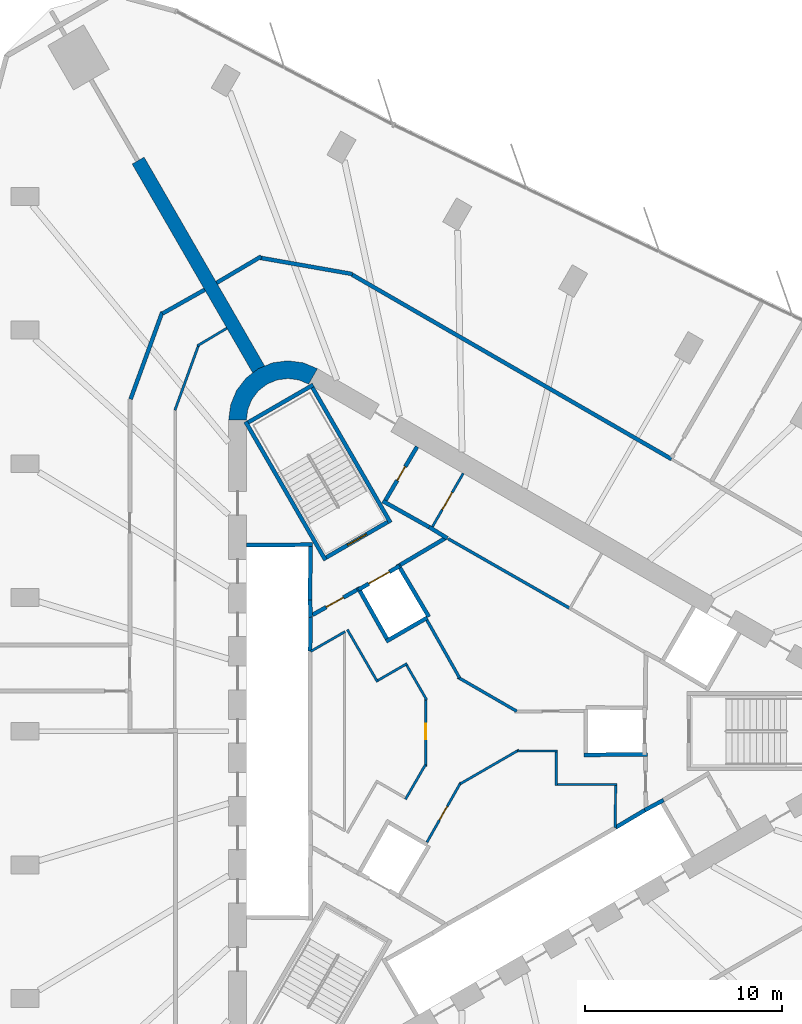
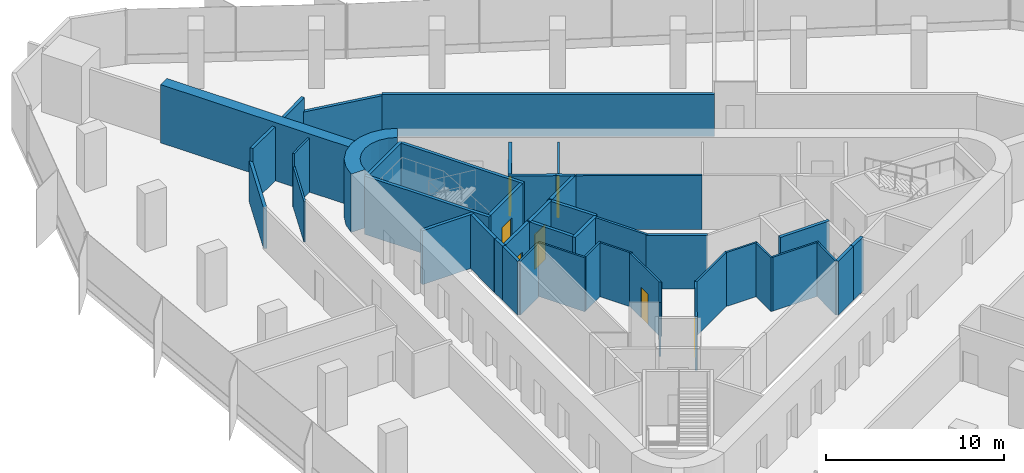
# One storey, part 10 of 13: 45 walls, 7 doors, 7 openings.
"""IFC4 building model written with IfcOpenShell, lengths in metres."""

from ifc_helpers import new_model, si_unit, direction, frame, frame_2d, origin, place, context, subcontext, project, spatial, polyline, rectangle, outline, extrude, material, layer, layer_set, type_object, element, fill, save


model = new_model("IFC4")

# Units and contexts
model_context = context("Model", 3, precision=1e-05, world=origin(), true_north=direction((0.0, 1.0)))
body_context = subcontext(model_context, "Body", "Model", "MODEL_VIEW")
ifc_project = project(units=[si_unit("LENGTHUNIT", "METRE"), si_unit("AREAUNIT", "SQUARE_METRE"), si_unit("VOLUMEUNIT", "CUBIC_METRE"), si_unit("PLANEANGLEUNIT", "RADIAN"), si_unit("MASSUNIT", "GRAM", prefix="KILO")], contexts=[model_context])

# Site, building, storey
site_placement = place(None, origin())
site = spatial("IfcSite", under=ifc_project, at=site_placement, CompositionType="ELEMENT")
building_placement = place(site_placement, origin())
building = spatial("IfcBuilding", under=site, at=building_placement, Name="Tanit Gate Tower", CompositionType="ELEMENT")
storey_placement = place(building_placement, frame((0.0, 0.0, 189.199951171875)))
storey = spatial("IfcBuildingStorey", under=building, at=storey_placement, Name="L41", CompositionType="ELEMENT", Elevation=189.199951171875)

# Walls
ifc_material_1 = material(Name="Concrete C50/60", Category="concrete")
ifc_layer_1 = layer(ifc_material_1, 0.699951171875)
ifc_layer_set_1 = layer_set([ifc_layer_1], Name="BUTTRESS FIN 700 C50/60")
wall_type_1 = type_object("IfcWallType", Name="BUTTRESS FIN 700 C50/60", PredefinedType="SHEAR", material=ifc_layer_set_1)
wall_1_placement = place(storey_placement, frame((-10.574951171875, 18.31640625, 0.0), z_axis=(0.0, 0.0, 1.0), x_axis=(-0.500002625756, 0.866023887798, 0.0)))
element("IfcWall", 1, at=wall_1_placement, inside=storey, type_object=wall_type_1, Name="BUTTRESS FIN", PredefinedType="SHEAR", context=body_context, shape_type="SweptSolid", body=[
    extrude(rectangle(XDim=12.2197265625, YDim=0.699951171875, at=frame_2d((6.10986328125, 0.0))), origin(), (0.0, 0.0, 1.0), 4.0),
])
ifc_material_2 = material(Name="Concrete C50/60", Category="concrete")
ifc_layer_2 = layer(ifc_material_2, 0.89990234375)
ifc_layer_set_2 = layer_set([ifc_layer_2], Name="CORE WALL 900 C50/60")
wall_type_2 = type_object("IfcWallType", Name="CORE WALL 900 C50/60", PredefinedType="SHEAR", material=ifc_layer_set_2)
wall_2_placement = place(storey_placement, origin())
element("IfcWall", 2, at=wall_2_placement, inside=storey, type_object=wall_type_2, Name="CORE WALL CORNER", PredefinedType="SHEAR", context=body_context, shape_type="SweptSolid", body=[
    extrude(outline(polyline([(-7.60009765625, 18.359619140625), (-8.323486328125, 18.659423828125), (-9.10009765625, 18.76171875), (-9.87646484375, 18.659423828125), (-10.60009765625, 18.359619140625), (-11.22119140625, 17.883056640625), (-11.697998046875, 17.26171875), (-11.997802734375, 16.5380859375), (-12.10009765625, 15.76171875), (-11.199951171875, 15.76171875), (-11.12841796875, 16.30517578125), (-10.918701171875, 16.811767578125), (-10.5849609375, 17.24658203125), (-10.14990234375, 17.580322265625), (-9.6435546875, 17.7900390625), (-9.10009765625, 17.86181640625), (-8.556396484375, 17.7900390625), (-8.050048828125, 17.580322265625), (-7.60009765625, 18.359619140625)])), origin(), (0.0, 0.0, 1.0), 4.0),
])
ifc_material_3 = material(Name="Fire-rated gypsum board partition")
ifc_layer_3 = layer(ifc_material_3, 0.199951171875)
ifc_layer_set_3 = layer_set([ifc_layer_3], Name="INT-WALL-COMPARTMENT")
wall_type_3 = type_object("IfcWallType", Name="INT-WALL-COMPARTMENT", PredefinedType="PARTITIONING", material=ifc_layer_set_3)
wall_3_placement = place(storey_placement, frame((-1.940673828125, 10.338623046875, 0.0), z_axis=(0.0, 0.0, 1.0), x_axis=(0.850216889117, -0.526432561171, 0.0)))
element("IfcWall", 3, at=wall_3_placement, inside=storey, type_object=wall_type_3, Name="Wall Compartment W053", PredefinedType="PARTITIONING", context=body_context, shape_type="SweptSolid", body=[
    extrude(rectangle(XDim=1.078369140625, YDim=0.199951171875, at=frame_2d((0.5390625, 0.0))), origin(), (0.0, 0.0, 1.0), 3.699951171875),
])
wall_4_placement = place(storey_placement, frame((-4.296142578125, 11.658935546875, 0.0), z_axis=(0.0, 0.0, 1.0), x_axis=(0.871534483978, -0.490334215854, 0.0)))
element("IfcWall", 4, at=wall_4_placement, inside=storey, type_object=wall_type_3, Name="Wall Compartment W055", PredefinedType="PARTITIONING", context=body_context, shape_type="SweptSolid", body=[
    extrude(rectangle(XDim=2.7001953125, YDim=0.199951171875, at=frame_2d((1.35009765625, 0.0))), origin(), (0.0, 0.0, 1.0), 3.699951171875),
])

# Wall, opening, door
wall_5_placement = place(storey_placement, frame((-2.557861328125, 14.409423828125, 0.0), z_axis=(0.0, 0.0, 1.0), x_axis=(-0.508018930956, -0.861345903683, 0.0)))
wall_5 = element("IfcWall", 5, at=wall_5_placement, inside=storey, type_object=wall_type_3, Name="Wall Compartment W056", PredefinedType="PARTITIONING", context=body_context, shape_type="SweptSolid", body=[
    extrude(rectangle(XDim=3.150146484375, YDim=0.199951171875, at=frame_2d((1.5751953125, 0.0))), origin(), (0.0, 0.0, 1.0), 3.699951171875),
])
opening_1_placement = place(wall_5_placement, frame((1.175048828125, 0.0, 0.0)))
opening_1 = element("IfcOpeningElement", 6, at=opening_1_placement, cuts=wall_5, Name="Opening R08-S10-15", PredefinedType="OPENING", context=body_context, shape_type="SweptSolid", body=[
    extrude(rectangle(XDim=0.800048828125, YDim=2.10009765625, at=frame_2d((0.39990234375, 1.050048828125))), frame((0.0, 0.10986328125, 0.0), z_axis=(0.0, -1.0, 0.0), x_axis=(1.0, 0.0, 0.0)), (0.0, 0.0, 1.0), 0.219970703125),
])
ifc_material_4 = material(Name="Timber door leaf", Category="wood")
door_type_1 = type_object("IfcDoorType", Name="INT-DOOR-RISER-800", OperationType="NOTDEFINED", PredefinedType="USERDEFINED", material=ifc_material_4)
door_1_placement = place(opening_1_placement, origin())
door_1 = element("IfcDoor", 7, at=door_1_placement, inside=storey, type_object=door_type_1, Name="Door R08-S10-15", ObjectType="FIRE DOOR", OperationType="SINGLE_SWING_LEFT", OverallHeight=2.10009765625, OverallWidth=0.800048828125, PredefinedType="USERDEFINED", context=body_context, shape_type="SweptSolid", body=[
    extrude(rectangle(XDim=0.800048828125, YDim=2.10009765625, at=frame_2d((0.39990234375, 1.050048828125))), frame((0.0, 0.02490234375, 0.0), z_axis=(0.0, -1.0, 0.0), x_axis=(1.0, 0.0, 0.0)), (0.0, 0.0, 1.0), 0.050048828125),
])
fill(opening_1, door_1)

# Wall
wall_6_placement = place(storey_placement, frame((-1.0546875, 9.818359375, 0.0), z_axis=(0.0, 0.0, 1.0), x_axis=(-0.860614334655, -0.50925726994, 0.0)))
element("IfcWall", 8, at=wall_6_placement, inside=storey, type_object=wall_type_3, Name="Wall Compartment W061", PredefinedType="PARTITIONING", context=body_context, shape_type="SweptSolid", body=[
    extrude(rectangle(XDim=2.725830078125, YDim=0.199951171875, at=frame_2d((1.36279296875, 0.0))), origin(), (0.0, 0.0, 1.0), 3.699951171875),
])

# Wall, opening, door
wall_7_placement = place(storey_placement, frame((-5.600341796875, 7.16015625, 0.0), z_axis=(0.0, 0.0, 1.0), x_axis=(-0.871363259478, -0.490638431059, 0.0)))
wall_7 = element("IfcWall", 9, at=wall_7_placement, inside=storey, type_object=wall_type_3, Name="Wall Compartment W062", PredefinedType="PARTITIONING", context=body_context, shape_type="SweptSolid", body=[
    extrude(rectangle(XDim=2.5810546875, YDim=0.199951171875, at=frame_2d((1.29052734375, 0.0))), origin(), (0.0, 0.0, 1.0), 3.699951171875),
])
opening_2_placement = place(wall_7_placement, frame((0.79052734375, 0.0, 0.0)))
opening_2 = element("IfcOpeningElement", 10, at=opening_2_placement, cuts=wall_7, Name="Opening F10-S10-05", PredefinedType="OPENING", context=body_context, shape_type="SweptSolid", body=[
    extrude(rectangle(XDim=1.0, YDim=2.10009765625, at=frame_2d((0.5, 1.050048828125))), frame((0.0, 0.10986328125, 0.0), z_axis=(0.0, -1.0, 0.0), x_axis=(1.0, 0.0, 0.0)), (0.0, 0.0, 1.0), 0.219970703125),
])
ifc_material_5 = material(Name="Fire-rated steel door leaf", Category="steel")
door_type_2 = type_object("IfcDoorType", Name="INT-DOOR-FIRE-1000", OperationType="NOTDEFINED", PredefinedType="USERDEFINED", material=ifc_material_5)
door_2_placement = place(opening_2_placement, origin())
door_2 = element("IfcDoor", 11, at=door_2_placement, inside=storey, type_object=door_type_2, Name="Door F10-S10-05", ObjectType="FIRE DOOR", OperationType="SINGLE_SWING_LEFT", OverallHeight=2.10009765625, OverallWidth=1.0, PredefinedType="USERDEFINED", context=body_context, shape_type="SweptSolid", body=[
    extrude(rectangle(XDim=1.0, YDim=2.10009765625, at=frame_2d((0.5, 1.050048828125))), frame((0.0, 0.02490234375, 0.0), z_axis=(0.0, -1.0, 0.0), x_axis=(1.0, 0.0, 0.0)), (0.0, 0.0, 1.0), 0.050048828125),
])
fill(opening_2, door_2)

# Walls
wall_8_placement = place(storey_placement, frame((-15.456298828125, 21.238525390625, 0.0), z_axis=(0.0, 0.0, 1.0), x_axis=(-0.34205546997, -0.939679762187, 0.0)))
element("IfcWall", 12, at=wall_8_placement, inside=storey, type_object=wall_type_3, Name="Wall Compartment W091", PredefinedType="PARTITIONING", context=body_context, shape_type="SweptSolid", body=[
    extrude(rectangle(XDim=4.705810546875, YDim=0.199951171875, at=frame_2d((2.35302734375, 0.0))), origin(), (0.0, 0.0, 1.0), 2.780029296875),
])
wall_9_placement = place(storey_placement, frame((-13.31298828125, 22.35888671875, 0.0), z_axis=(0.0, 0.0, 1.0), x_axis=(-0.87121710687, -0.490897904555, 0.0)))
element("IfcWall", 13, at=wall_9_placement, inside=storey, type_object=wall_type_3, Name="Wall Compartment W092", PredefinedType="PARTITIONING", context=body_context, shape_type="SweptSolid", body=[
    extrude(rectangle(XDim=2.457275390625, YDim=0.199951171875, at=frame_2d((1.228515625, 0.0))), origin(), (0.0, 0.0, 1.0), 3.699951171875),
])
wall_10_placement = place(storey_placement, frame((-10.449462890625, 24.0439453125, 0.0), z_axis=(0.0, 0.0, 1.0), x_axis=(-0.860744847861, -0.509036645912, 0.0)))
element("IfcWall", 14, at=wall_10_placement, inside=storey, type_object=wall_type_3, Name="Wall Compartment W097", PredefinedType="PARTITIONING", context=body_context, shape_type="SweptSolid", body=[
    extrude(rectangle(XDim=2.62255859375, YDim=0.199951171875, at=frame_2d((1.311279296875, 0.0))), origin(), (0.0, 0.0, 1.0), 3.699951171875),
])
wall_11_placement = place(storey_placement, frame((-5.833740234375, 23.153076171875, 0.0), z_axis=(0.0, 0.0, 1.0), x_axis=(-0.98481258102, 0.173620794447, 0.0)))
element("IfcWall", 15, at=wall_11_placement, inside=storey, type_object=wall_type_3, Name="Wall Compartment W098", PredefinedType="PARTITIONING", context=body_context, shape_type="SweptSolid", body=[
    extrude(rectangle(XDim=4.740234375, YDim=0.199951171875, at=frame_2d((2.3701171875, 0.0))), origin(), (0.0, 0.0, 1.0), 2.780029296875),
])
wall_12_placement = place(storey_placement, frame((10.325439453125, 13.783935546875, 0.0), z_axis=(0.0, 0.0, 1.0), x_axis=(-0.866025119466, 0.500000492453, 0.0)))
element("IfcWall", 16, at=wall_12_placement, inside=storey, type_object=wall_type_3, Name="Wall Compartment W099", PredefinedType="PARTITIONING", context=body_context, shape_type="SweptSolid", body=[
    extrude(rectangle(XDim=18.6728515625, YDim=0.199951171875, at=frame_2d((9.33642578125, 0.0))), origin(), (0.0, 0.0, 1.0), 2.880126953125),
])

# Wall, opening, door
ifc_material_6 = material(Name="Gypsum board partition")
ifc_layer_4 = layer(ifc_material_6, 0.1201171875)
ifc_layer_set_4 = layer_set([ifc_layer_4], Name="INT-WALL-PARTITION")
wall_type_4 = type_object("IfcWallType", Name="INT-WALL-PARTITION", PredefinedType="PARTITIONING", material=ifc_layer_set_4)
wall_13_placement = place(storey_placement, frame((-0.2197265625, 13.0595703125, 0.0), z_axis=(0.0, 0.0, 1.0), x_axis=(-0.499984717929, -0.866034226713, 0.0)))
wall_13 = element("IfcWall", 17, at=wall_13_placement, inside=storey, type_object=wall_type_4, Name="Wall Partition W052", PredefinedType="PARTITIONING", context=body_context, shape_type="SweptSolid", body=[
    extrude(rectangle(XDim=3.25, YDim=0.1201171875, at=frame_2d((1.625, 0.0))), origin(), (0.0, 0.0, 1.0), 3.699951171875),
])
opening_3_placement = place(wall_13_placement, frame((1.125, 0.0, 0.0)))
opening_3 = element("IfcOpeningElement", 18, at=opening_3_placement, cuts=wall_13, Name="Opening D10-S10-31", PredefinedType="OPENING", context=body_context, shape_type="SweptSolid", body=[
    extrude(rectangle(XDim=1.0, YDim=2.10009765625, at=frame_2d((0.5, 1.050048828125))), frame((0.0, 0.070068359375, 0.0), z_axis=(0.0, -1.0, 0.0), x_axis=(1.0, 0.0, 0.0)), (0.0, 0.0, 1.0), 0.14013671875),
])
ifc_material_7 = material(Name="Timber door leaf", Category="wood")
door_type_3 = type_object("IfcDoorType", Name="INT-DOOR-SINGLE-1000", OperationType="NOTDEFINED", PredefinedType="NOTDEFINED", material=ifc_material_7)
door_3_placement = place(opening_3_placement, origin())
door_3 = element("IfcDoor", 19, at=door_3_placement, inside=storey, type_object=door_type_3, Name="Door D10-S10-31", OperationType="SINGLE_SWING_LEFT", OverallHeight=2.10009765625, OverallWidth=1.0, PredefinedType="NOTDEFINED", context=body_context, shape_type="SweptSolid", body=[
    extrude(rectangle(XDim=1.0, YDim=2.10009765625, at=frame_2d((0.5, 1.050048828125))), frame((0.0, 0.02490234375, 0.0), z_axis=(0.0, -1.0, 0.0), x_axis=(1.0, 0.0, 0.0)), (0.0, 0.0, 1.0), 0.050048828125),
])
fill(opening_3, door_3)

wall_14_placement = place(storey_placement, frame((-0.339599609375, -2.58642578125, 0.0), z_axis=(0.0, 0.0, 1.0), x_axis=(-0.492647196214, -0.870229130782, 0.0)))
wall_14 = element("IfcWall", 20, at=wall_14_placement, inside=storey, type_object=wall_type_4, Name="Wall Partition W068", PredefinedType="PARTITIONING", context=body_context, shape_type="SweptSolid", body=[
    extrude(rectangle(XDim=3.490234375, YDim=0.1201171875, at=frame_2d((1.7451171875, 0.0))), origin(), (0.0, 0.0, 1.0), 3.699951171875),
])
opening_4_placement = place(wall_14_placement, frame((1.396240234375, 0.0, 0.0)))
opening_4 = element("IfcOpeningElement", 21, at=opening_4_placement, cuts=wall_14, Name="Opening R08-S10-11", PredefinedType="OPENING", context=body_context, shape_type="SweptSolid", body=[
    extrude(rectangle(XDim=0.800048828125, YDim=2.10009765625, at=frame_2d((0.39990234375, 1.050048828125))), frame((0.0, 0.070068359375, 0.0), z_axis=(0.0, -1.0, 0.0), x_axis=(1.0, 0.0, 0.0)), (0.0, 0.0, 1.0), 0.14013671875),
])
door_4_placement = place(opening_4_placement, origin())
door_4 = element("IfcDoor", 22, at=door_4_placement, inside=storey, type_object=door_type_1, Name="Door R08-S10-11", ObjectType="FIRE DOOR", OperationType="SINGLE_SWING_RIGHT", OverallHeight=2.10009765625, OverallWidth=0.800048828125, PredefinedType="USERDEFINED", context=body_context, shape_type="SweptSolid", body=[
    extrude(rectangle(XDim=0.800048828125, YDim=2.10009765625, at=frame_2d((0.39990234375, 1.050048828125))), frame((0.0, 0.02490234375, 0.0), z_axis=(0.0, -1.0, 0.0), x_axis=(1.0, 0.0, 0.0)), (0.0, 0.0, 1.0), 0.050048828125),
])
fill(opening_4, door_4)

# Walls
wall_15_placement = place(storey_placement, frame((2.6015625, -0.947998046875, 0.0), z_axis=(0.0, 0.0, 1.0), x_axis=(-0.866025804792, -0.499999305434, 0.0)))
element("IfcWall", 23, at=wall_15_placement, inside=storey, type_object=wall_type_4, Name="Wall Partition W069", PredefinedType="PARTITIONING", context=body_context, shape_type="SweptSolid", body=[
    extrude(rectangle(XDim=3.43505859375, YDim=0.1201171875, at=frame_2d((1.717529296875, 0.0))), origin(), (0.0, 0.0, 1.0), 3.699951171875),
])
wall_16_placement = place(storey_placement, frame((4.56005859375, -1.0, 0.0), z_axis=(0.0, 0.0, 1.0), x_axis=(-1.0, 0.0, 0.0)))
element("IfcWall", 24, at=wall_16_placement, inside=storey, type_object=wall_type_4, Name="Wall Partition W070", PredefinedType="PARTITIONING", context=body_context, shape_type="SweptSolid", body=[
    extrude(rectangle(XDim=2.030029296875, YDim=0.1201171875, at=frame_2d((1.01513671875, 0.0))), origin(), (0.0, 0.0, 1.0), 3.699951171875),
])
wall_17_placement = place(storey_placement, frame((4.5, -2.760009765625, 0.0), z_axis=(0.0, 0.0, 1.0), x_axis=(0.0, 1.0, 0.0)))
element("IfcWall", 25, at=wall_17_placement, inside=storey, type_object=wall_type_4, Name="Wall Partition W071", PredefinedType="PARTITIONING", context=body_context, shape_type="SweptSolid", body=[
    extrude(rectangle(XDim=1.699951171875, YDim=0.1201171875, at=frame_2d((0.85009765625, 0.0))), origin(), (0.0, 0.0, 1.0), 3.699951171875),
])
wall_18_placement = place(storey_placement, frame((7.56005859375, -2.699951171875, 0.0), z_axis=(0.0, 0.0, 1.0), x_axis=(-1.0, 0.0, 0.0)))
element("IfcWall", 26, at=wall_18_placement, inside=storey, type_object=wall_type_4, Name="Wall Partition W072", PredefinedType="PARTITIONING", context=body_context, shape_type="SweptSolid", body=[
    extrude(rectangle(XDim=3.0, YDim=0.1201171875, at=frame_2d((1.5, 0.0))), origin(), (0.0, 0.0, 1.0), 3.699951171875),
])
wall_19_placement = place(storey_placement, frame((7.474609375, -4.864501953125, 0.0), z_axis=(0.0, 0.0, 1.0), x_axis=(0.011716133148, 0.999931363757, 0.0)))
element("IfcWall", 27, at=wall_19_placement, inside=storey, type_object=wall_type_4, Name="Wall Partition W073", PredefinedType="PARTITIONING", context=body_context, shape_type="SweptSolid", body=[
    extrude(rectangle(XDim=2.104736328125, YDim=0.1201171875, at=frame_2d((1.05224609375, 0.0))), origin(), (0.0, 0.0, 1.0), 3.699951171875),
])
wall_20_placement = place(storey_placement, frame((-6.201416015625, 5.045654296875, 0.0), z_axis=(0.0, 0.0, 1.0), x_axis=(-0.867071050325, -0.498184497639, 0.0)))
element("IfcWall", 28, at=wall_20_placement, inside=storey, type_object=wall_type_4, Name="Wall Partition W076", PredefinedType="PARTITIONING", context=body_context, shape_type="SweptSolid", body=[
    extrude(rectangle(XDim=2.0166015625, YDim=0.1201171875, at=frame_2d((1.00830078125, 0.0))), origin(), (0.0, 0.0, 1.0), 3.699951171875),
])
wall_21_placement = place(storey_placement, frame((-4.558349609375, 2.4951171875, 0.0), z_axis=(0.0, 0.0, 1.0), x_axis=(-0.499991792115, 0.866030142557, 0.0)))
element("IfcWall", 29, at=wall_21_placement, inside=storey, type_object=wall_type_4, Name="Wall Partition W077", PredefinedType="PARTITIONING", context=body_context, shape_type="SweptSolid", body=[
    extrude(rectangle(XDim=3.06005859375, YDim=0.1201171875, at=frame_2d((1.530029296875, 0.0))), origin(), (0.0, 0.0, 1.0), 3.699951171875),
])
wall_22_placement = place(storey_placement, frame((-3.06396484375, 3.427001953125, 0.0), z_axis=(0.0, 0.0, 1.0), x_axis=(-0.866087547558, -0.499892348375, 0.0)))
element("IfcWall", 30, at=wall_22_placement, inside=storey, type_object=wall_type_4, Name="Wall Partition W078", PredefinedType="PARTITIONING", context=body_context, shape_type="SweptSolid", body=[
    extrude(rectangle(XDim=1.699951171875, YDim=0.1201171875, at=frame_2d((0.85009765625, 0.0))), origin(), (0.0, 0.0, 1.0), 3.699951171875),
])
wall_23_placement = place(storey_placement, frame((-2.06982421875, 1.5849609375, 0.0), z_axis=(0.0, 0.0, 1.0), x_axis=(-0.499937346687, 0.86606157367, 0.0)))
element("IfcWall", 31, at=wall_23_placement, inside=storey, type_object=wall_type_4, Name="Wall Partition W079", PredefinedType="PARTITIONING", context=body_context, shape_type="SweptSolid", body=[
    extrude(rectangle(XDim=2.032470703125, YDim=0.1201171875, at=frame_2d((1.01611328125, 0.0))), origin(), (0.0, 0.0, 1.0), 3.699951171875),
])

# Wall, opening, door
wall_24_placement = place(storey_placement, frame((-2.121826171875, -1.77880859375, 0.0), z_axis=(0.0, 0.0, 1.0), x_axis=(0.0, 1.0, 0.0)))
wall_24 = element("IfcWall", 32, at=wall_24_placement, inside=storey, type_object=wall_type_4, Name="Wall Partition W080", PredefinedType="PARTITIONING", context=body_context, shape_type="SweptSolid", body=[
    extrude(rectangle(XDim=3.435302734375, YDim=0.1201171875, at=frame_2d((1.7177734375, 0.0))), origin(), (0.0, 0.0, 1.0), 3.699951171875),
])
opening_5_placement = place(wall_24_placement, frame((1.36962890625, 0.0, 0.0)))
opening_5 = element("IfcOpeningElement", 33, at=opening_5_placement, cuts=wall_24, Name="Opening R08-S10-13", PredefinedType="OPENING", context=body_context, shape_type="SweptSolid", body=[
    extrude(rectangle(XDim=0.800048828125, YDim=2.10009765625, at=frame_2d((0.39990234375, 1.050048828125))), frame((0.0, 0.070068359375, 0.0), z_axis=(0.0, -1.0, 0.0), x_axis=(1.0, 0.0, 0.0)), (0.0, 0.0, 1.0), 0.14013671875),
])
door_5_placement = place(opening_5_placement, origin())
door_5 = element("IfcDoor", 34, at=door_5_placement, inside=storey, type_object=door_type_1, Name="Door R08-S10-13", ObjectType="FIRE DOOR", OperationType="SINGLE_SWING_RIGHT", OverallHeight=2.10009765625, OverallWidth=0.800048828125, PredefinedType="USERDEFINED", context=body_context, shape_type="SweptSolid", body=[
    extrude(rectangle(XDim=0.800048828125, YDim=2.10009765625, at=frame_2d((0.39990234375, 1.050048828125))), frame((0.0, 0.02490234375, 0.0), z_axis=(0.0, -1.0, 0.0), x_axis=(1.0, 0.0, 0.0)), (0.0, 0.0, 1.0), 0.050048828125),
])
fill(opening_5, door_5)

# Walls
wall_25_placement = place(storey_placement, frame((-3.14599609375, -3.448974609375, 0.0), z_axis=(0.0, 0.0, 1.0), x_axis=(0.500007041985, 0.866021338054, 0.0)))
element("IfcWall", 35, at=wall_25_placement, inside=storey, type_object=wall_type_4, Name="Wall Partition W081", PredefinedType="PARTITIONING", context=body_context, shape_type="SweptSolid", body=[
    extrude(rectangle(XDim=2.02978515625, YDim=0.1201171875, at=frame_2d((1.014892578125, 0.0))), origin(), (0.0, 0.0, 1.0), 3.699951171875),
])
wall_26_placement = place(storey_placement, frame((-12.188720703125, 20.411376953125, 0.0), z_axis=(0.0, 0.0, 1.0), x_axis=(-0.858492721014, -0.51282574815, 0.0)))
element("IfcWall", 36, at=wall_26_placement, inside=storey, type_object=wall_type_4, Name="Wall Partition W084", PredefinedType="PARTITIONING", context=body_context, shape_type="SweptSolid", body=[
    extrude(rectangle(XDim=1.742431640625, YDim=0.1201171875, at=frame_2d((0.87109375, 0.0))), origin(), (0.0, 0.0, 1.0), 3.699951171875),
])
wall_27_placement = place(storey_placement, frame((-13.630615234375, 19.529541015625, 0.0), z_axis=(0.0, 0.0, 1.0), x_axis=(-0.342069878069, -0.939674517329, 0.0)))
element("IfcWall", 37, at=wall_27_placement, inside=storey, type_object=wall_type_4, Name="Wall Partition W085", PredefinedType="PARTITIONING", context=body_context, shape_type="SweptSolid", body=[
    extrude(rectangle(XDim=3.478759765625, YDim=0.1201171875, at=frame_2d((1.7392578125, 0.0))), origin(), (0.0, 0.0, 1.0), 2.780029296875),
])
ifc_material_8 = material(Name="Fire-rated gypsum board partition")
ifc_layer_5 = layer(ifc_material_8, 0.14990234375)
ifc_layer_set_5 = layer_set([ifc_layer_5], Name="INT-WALL-RISER")
wall_type_5 = type_object("IfcWallType", Name="INT-WALL-RISER", PredefinedType="PLUMBINGWALL", material=ifc_layer_set_5)
wall_28_placement = place(storey_placement, frame((5.1591796875, 6.23583984375, 0.0), z_axis=(0.0, 0.0, 1.0), x_axis=(-0.868105023632, 0.496380567654, 0.0)))
element("IfcWall", 38, at=wall_28_placement, inside=storey, type_object=wall_type_5, Name="Wall Riser W054", PredefinedType="PLUMBINGWALL", context=body_context, shape_type="SweptSolid", body=[
    extrude(rectangle(XDim=7.072265625, YDim=0.14990234375, at=frame_2d((3.5361328125, 0.0))), origin(), (0.0, 0.0, 1.0), 3.699951171875),
])
wall_29_placement = place(storey_placement, frame((-0.5, 2.73876953125, 0.0), z_axis=(0.0, 0.0, 1.0), x_axis=(0.866029020252, -0.499993736042, 0.0)))
element("IfcWall", 39, at=wall_29_placement, inside=storey, type_object=wall_type_5, Name="Wall Riser W066", PredefinedType="PLUMBINGWALL", context=body_context, shape_type="SweptSolid", body=[
    extrude(rectangle(XDim=3.45361328125, YDim=0.14990234375, at=frame_2d((1.726806640625, 0.0))), origin(), (0.0, 0.0, 1.0), 3.699951171875),
])
wall_30_placement = place(storey_placement, frame((-2.05908203125, 5.623779296875, 0.0), z_axis=(0.0, 0.0, 1.0), x_axis=(0.49265005812, -0.870227510617, 0.0)))
element("IfcWall", 40, at=wall_30_placement, inside=storey, type_object=wall_type_5, Name="Wall Riser W067", PredefinedType="PLUMBINGWALL", context=body_context, shape_type="SweptSolid", body=[
    extrude(rectangle(XDim=3.364990234375, YDim=0.14990234375, at=frame_2d((1.6826171875, 0.0))), origin(), (0.0, 0.0, 1.0), 3.699951171875),
])
ifc_material_9 = material(Name="Gypsum shaft wall system")
ifc_layer_6 = layer(ifc_material_9, 0.199951171875)
ifc_layer_set_6 = layer_set([ifc_layer_6], Name="INT-WALL-SHAFT")
wall_type_6 = type_object("IfcWallType", Name="INT-WALL-SHAFT", PredefinedType="PLUMBINGWALL", material=ifc_layer_set_6)
wall_31_placement = place(storey_placement, frame((-11.199951171875, 9.419921875, 0.0), z_axis=(0.0, 0.0, 1.0), x_axis=(0.999957167047, 0.009255488683, 0.0)))
element("IfcWall", 41, at=wall_31_placement, inside=storey, type_object=wall_type_6, Name="Wall Shaft W001", PredefinedType="PLUMBINGWALL", context=body_context, shape_type="SweptSolid", body=[
    extrude(rectangle(XDim=3.35009765625, YDim=0.199951171875, at=frame_2d((1.675048828125, 0.0))), origin(), (0.0, 0.0, 1.0), 3.699951171875),
])
wall_32_placement = place(storey_placement, frame((-7.951171875, 9.35009765625, 0.0), z_axis=(0.0, 0.0, 1.0), x_axis=(-0.011120469654, -0.999938165666, 0.0)))
element("IfcWall", 42, at=wall_32_placement, inside=storey, type_object=wall_type_6, Name="Wall Shaft W002", PredefinedType="PLUMBINGWALL", context=body_context, shape_type="SweptSolid", body=[
    extrude(rectangle(XDim=2.700439453125, YDim=0.199951171875, at=frame_2d((1.35009765625, 0.0))), origin(), (0.0, 0.0, 1.0), 3.699951171875),
])
wall_33_placement = place(storey_placement, frame((-7.97705078125, 6.650146484375, 0.0), z_axis=(0.0, 0.0, 1.0), x_axis=(0.030861509705, -0.999523670164, 0.0)))
element("IfcWall", 43, at=wall_33_placement, inside=storey, type_object=wall_type_6, Name="Wall Shaft W003", PredefinedType="PLUMBINGWALL", context=body_context, shape_type="SweptSolid", body=[
    extrude(rectangle(XDim=0.878173828125, YDim=0.199951171875, at=frame_2d((0.43896484375, 0.0))), origin(), (0.0, 0.0, 1.0), 3.699951171875),
])
wall_34_placement = place(storey_placement, frame((-7.94921875, 5.894775390625, 0.0), z_axis=(0.0, 0.0, 1.0), x_axis=(-0.012042535896, -0.999927486035, 0.0)))
element("IfcWall", 44, at=wall_34_placement, inside=storey, type_object=wall_type_6, Name="Wall Shaft W004", PredefinedType="PLUMBINGWALL", context=body_context, shape_type="SweptSolid", body=[
    extrude(rectangle(XDim=1.844970703125, YDim=0.199951171875, at=frame_2d((0.92236328125, 0.0))), origin(), (0.0, 0.0, 1.0), 3.699951171875),
])
wall_35_placement = place(storey_placement, frame((8.97412109375, -3.998779296875, 0.0), z_axis=(0.0, 0.0, 1.0), x_axis=(0.880907015104, 0.473289373154, 0.0)))
element("IfcWall", 45, at=wall_35_placement, inside=storey, type_object=wall_type_6, Name="Wall Shaft W017", PredefinedType="PLUMBINGWALL", context=body_context, shape_type="SweptSolid", body=[
    extrude(rectangle(XDim=1.078125, YDim=0.199951171875, at=frame_2d((0.5390625, 0.0))), origin(), (0.0, 0.0, 1.0), 3.699951171875),
])
wall_36_placement = place(storey_placement, frame((7.4931640625, -4.87841796875, 0.0), z_axis=(0.0, 0.0, 1.0), x_axis=(0.859981807212, 0.510324691999, 0.0)))
element("IfcWall", 46, at=wall_36_placement, inside=storey, type_object=wall_type_6, Name="Wall Shaft W018", PredefinedType="PLUMBINGWALL", context=body_context, shape_type="SweptSolid", body=[
    extrude(rectangle(XDim=1.8447265625, YDim=0.199951171875, at=frame_2d((0.92236328125, 0.0))), origin(), (0.0, 0.0, 1.0), 3.699951171875),
])
wall_37_placement = place(storey_placement, frame((5.89990234375, -1.200927734375, 0.0), z_axis=(0.0, 0.0, 1.0), x_axis=(0.999950064753, 0.009993397809, 0.0)))
element("IfcWall", 47, at=wall_37_placement, inside=storey, type_object=wall_type_6, Name="Wall Shaft W031", PredefinedType="PLUMBINGWALL", context=body_context, shape_type="SweptSolid", body=[
    extrude(rectangle(XDim=3.200439453125, YDim=0.199951171875, at=frame_2d((1.60009765625, 0.0))), origin(), (0.0, 0.0, 1.0), 3.699951171875),
])

# Wall, opening, door
wall_38_placement = place(storey_placement, frame((-5.524169921875, 7.168212890625, 0.0), z_axis=(0.0, 0.0, 1.0), x_axis=(0.866024647952, 0.500001309137, 0.0)))
wall_38 = element("IfcWall", 48, at=wall_38_placement, inside=storey, type_object=wall_type_6, Name="Wall Shaft W037", PredefinedType="PLUMBINGWALL", context=body_context, shape_type="SweptSolid", body=[
    extrude(rectangle(XDim=2.39990234375, YDim=0.199951171875, at=frame_2d((1.199951171875, 0.0))), origin(), (0.0, 0.0, 1.0), 3.699951171875),
])
opening_6_placement = place(wall_38_placement, frame((0.60009765625, 0.0, 0.0)))
opening_6 = element("IfcOpeningElement", 49, at=opening_6_placement, cuts=wall_38, Name="Opening LDFL2-L41", PredefinedType="OPENING", context=body_context, shape_type="SweptSolid", body=[
    extrude(rectangle(XDim=1.199951171875, YDim=2.39990234375, at=frame_2d((0.60009765625, 1.199951171875))), frame((0.0, 0.10986328125, 0.0), z_axis=(0.0, -1.0, 0.0), x_axis=(1.0, 0.0, 0.0)), (0.0, 0.0, 1.0), 0.219970703125),
])
ifc_material_10 = material(Name="Stainless steel sliding door leaf", Category="steel")
door_type_4 = type_object("IfcDoorType", Name="INT-DOOR-LANDING-1200", OperationType="NOTDEFINED", PredefinedType="USERDEFINED", material=ifc_material_10)
door_6_placement = place(opening_6_placement, origin())
door_6 = element("IfcDoor", 50, at=door_6_placement, inside=storey, type_object=door_type_4, Name="Door LDFL2-L41", ObjectType="LANDING DOOR", OperationType="SLIDING_TO_LEFT", OverallHeight=2.39990234375, OverallWidth=1.199951171875, PredefinedType="USERDEFINED", context=body_context, shape_type="SweptSolid", body=[
    extrude(rectangle(XDim=1.199951171875, YDim=2.39990234375, at=frame_2d((0.60009765625, 1.199951171875))), frame((0.0, 0.02490234375, 0.0), z_axis=(0.0, -1.0, 0.0), x_axis=(1.0, 0.0, 0.0)), (0.0, 0.0, 1.0), 0.050048828125),
])
fill(opening_6, door_6)

# Walls
wall_39_placement = place(storey_placement, frame((-3.53759765625, 8.46533203125, 0.0), z_axis=(0.0, 0.0, 1.0), x_axis=(0.508647062354, -0.860975125052, 0.0)))
element("IfcWall", 51, at=wall_39_placement, inside=storey, type_object=wall_type_6, Name="Wall Shaft W038", PredefinedType="PLUMBINGWALL", context=body_context, shape_type="SweptSolid", body=[
    extrude(rectangle(XDim=3.10009765625, YDim=0.199951171875, at=frame_2d((1.550048828125, 0.0))), origin(), (0.0, 0.0, 1.0), 3.699951171875),
])
wall_40_placement = place(storey_placement, frame((-2.04345703125, 5.748291015625, 0.0), z_axis=(0.0, 0.0, 1.0), x_axis=(-0.866035096217, -0.499983211839, 0.0)))
element("IfcWall", 52, at=wall_40_placement, inside=storey, type_object=wall_type_6, Name="Wall Shaft W039", PredefinedType="PLUMBINGWALL", context=body_context, shape_type="SweptSolid", body=[
    extrude(rectangle(XDim=2.404296875, YDim=0.199951171875, at=frame_2d((1.2021484375, 0.0))), origin(), (0.0, 0.0, 1.0), 3.699951171875),
])
wall_41_placement = place(storey_placement, frame((-5.5625, 7.29638671875, 0.0), z_axis=(0.0, 0.0, 1.0), x_axis=(0.49134651263, -0.870964180966, 0.0)))
element("IfcWall", 53, at=wall_41_placement, inside=storey, type_object=wall_type_6, Name="Wall Shaft W040", PredefinedType="PLUMBINGWALL", context=body_context, shape_type="SweptSolid", body=[
    extrude(rectangle(XDim=3.000244140625, YDim=0.199951171875, at=frame_2d((1.5, 0.0))), origin(), (0.0, 0.0, 1.0), 3.699951171875),
])
ifc_material_11 = material(Name="Concrete C40/50", Category="concrete")
ifc_layer_7 = layer(ifc_material_11, 0.199951171875)
ifc_layer_set_7 = layer_set([ifc_layer_7], Name="INT-WALL-STAIR")
wall_type_7 = type_object("IfcWallType", Name="INT-WALL-STAIR", PredefinedType="SHEAR", material=ifc_layer_set_7)
wall_42_placement = place(storey_placement, frame((-11.245361328125, 15.677734375, -0.300048828125), z_axis=(0.0, 0.0, 1.0), x_axis=(0.499977274689, -0.866038523851, 0.0)))
element("IfcWall", 54, at=wall_42_placement, inside=storey, type_object=wall_type_7, Name="Wall Stair W033", PredefinedType="SHEAR", context=body_context, shape_type="SweptSolid", body=[
    extrude(rectangle(XDim=8.10009765625, YDim=0.199951171875, at=frame_2d((4.050048828125, 0.0))), origin(), (0.0, 0.0, 1.0), 4.0),
])
wall_43_placement = place(storey_placement, frame((-7.81787109375, 17.541015625, -0.300048828125), z_axis=(0.0, 0.0, 1.0), x_axis=(-0.866044365799, -0.499967155389, 0.0)))
element("IfcWall", 55, at=wall_43_placement, inside=storey, type_object=wall_type_7, Name="Wall Stair W034", PredefinedType="SHEAR", context=body_context, shape_type="SweptSolid", body=[
    extrude(rectangle(XDim=3.800048828125, YDim=0.199951171875, at=frame_2d((1.89990234375, 0.0))), origin(), (0.0, 0.0, 1.0), 4.0),
])
wall_44_placement = place(storey_placement, frame((-7.8544921875, 17.404541015625, -0.300048828125), z_axis=(0.0, 0.0, 1.0), x_axis=(0.499997992926, -0.866026562566, 0.0)))
element("IfcWall", 56, at=wall_44_placement, inside=storey, type_object=wall_type_7, Name="Wall Stair W035", PredefinedType="SHEAR", context=body_context, shape_type="SweptSolid", body=[
    extrude(rectangle(XDim=7.89990234375, YDim=0.199951171875, at=frame_2d((3.949951171875, 0.0))), origin(), (0.0, 0.0, 1.0), 4.0),
])

# Wall, opening, door
wall_45_placement = place(storey_placement, frame((-7.158935546875, 8.799560546875, -0.300048828125), z_axis=(0.0, 0.0, 1.0), x_axis=(0.866047807691, 0.499961193289, 0.0)))
wall_45 = element("IfcWall", 57, at=wall_45_placement, inside=storey, type_object=wall_type_7, Name="Wall Stair W036", PredefinedType="SHEAR", context=body_context, shape_type="SweptSolid", body=[
    extrude(rectangle(XDim=3.599853515625, YDim=0.199951171875, at=frame_2d((1.7998046875, 0.0))), origin(), (0.0, 0.0, 1.0), 4.0),
])
opening_7_placement = place(wall_45_placement, frame((1.25, 0.0, 0.300048828125)))
opening_7 = element("IfcOpeningElement", 58, at=opening_7_placement, cuts=wall_45, Name="Opening S11-S10-04", PredefinedType="OPENING", context=body_context, shape_type="SweptSolid", body=[
    extrude(rectangle(XDim=1.10009765625, YDim=2.10009765625, at=frame_2d((0.550048828125, 1.050048828125))), frame((0.0, 0.10986328125, 0.0), z_axis=(0.0, -1.0, 0.0), x_axis=(1.0, 0.0, 0.0)), (0.0, 0.0, 1.0), 0.219970703125),
])
ifc_material_12 = material(Name="Timber door leaf", Category="wood")
door_type_5 = type_object("IfcDoorType", Name="INT-DOOR-STAIR-1100", OperationType="NOTDEFINED", PredefinedType="USERDEFINED", material=ifc_material_12)
door_7_placement = place(opening_7_placement, origin())
door_7 = element("IfcDoor", 59, at=door_7_placement, inside=storey, type_object=door_type_5, Name="Door S11-S10-04", ObjectType="FIRE DOOR", OperationType="SINGLE_SWING_LEFT", OverallHeight=2.10009765625, OverallWidth=1.10009765625, PredefinedType="USERDEFINED", context=body_context, shape_type="SweptSolid", body=[
    extrude(rectangle(XDim=1.10009765625, YDim=2.10009765625, at=frame_2d((0.550048828125, 1.050048828125))), frame((0.0, 0.02490234375, 0.0), z_axis=(0.0, -1.0, 0.0), x_axis=(1.0, 0.0, 0.0)), (0.0, 0.0, 1.0), 0.050048828125),
])
fill(opening_7, door_7)

save(model, "model.ifc")
